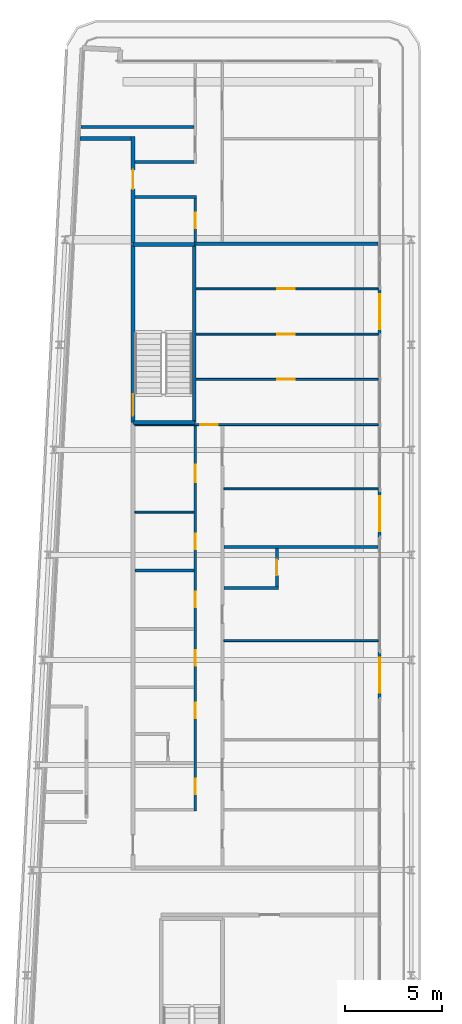
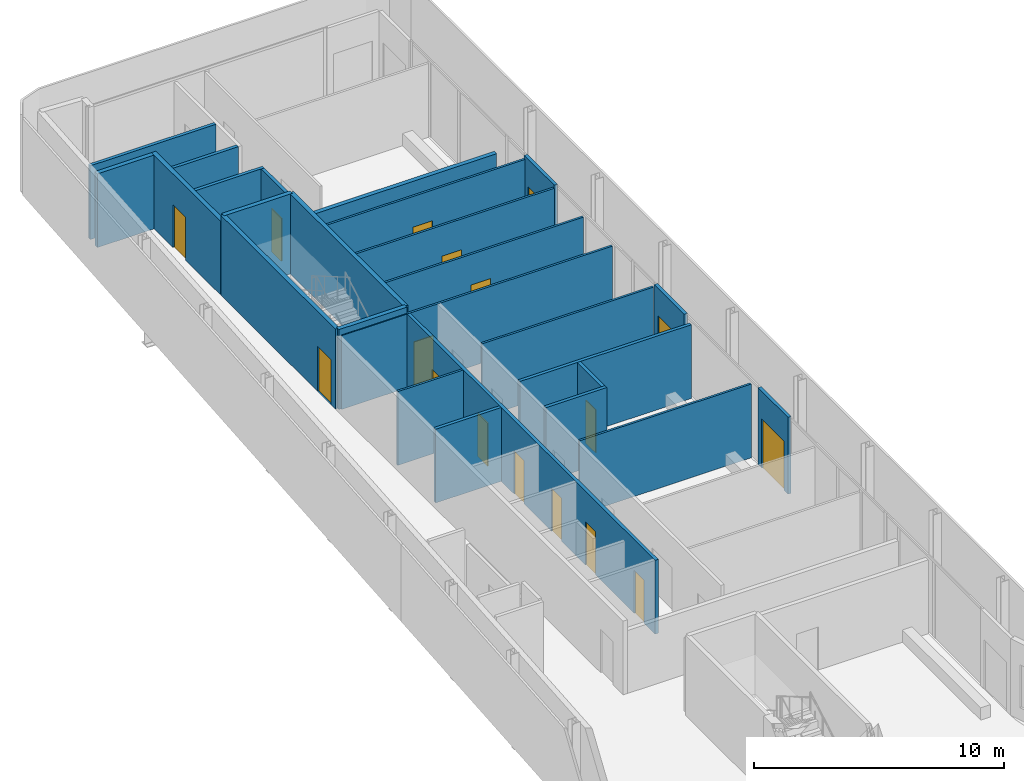
# One storey, part 11 of 18: 26 walls, 17 doors, 17 openings.
"""IFC4 building model written with IfcOpenShell, lengths in metres."""

from ifc_helpers import new_model, si_unit, direction, frame, frame_2d, origin, place, context, subcontext, project, spatial, rectangle, extrude, source, transform, mapped, material, layer, layer_set, type_object, element, fill, save


model = new_model("IFC4")

# Units and contexts
model_context = context("Model", 3, precision=1e-05, world=origin(), true_north=direction((0.0, 1.0)))
body_context = subcontext(model_context, "Body", "Model", "MODEL_VIEW")
ifc_project = project(units=[si_unit("LENGTHUNIT", "METRE"), si_unit("AREAUNIT", "SQUARE_METRE"), si_unit("VOLUMEUNIT", "CUBIC_METRE"), si_unit("PLANEANGLEUNIT", "RADIAN"), si_unit("MASSUNIT", "GRAM", prefix="KILO")], contexts=[model_context])

# Site, building, storey
site_placement = place(None, origin())
site = spatial("IfcSite", under=ifc_project, at=site_placement, CompositionType="ELEMENT")
building_placement = place(site_placement, origin())
building = spatial("IfcBuilding", under=site, at=building_placement, Name="Kheshtan School and Residences Tower", CompositionType="ELEMENT")
storey_placement = place(building_placement, frame((0.0, 0.0, 385.10009765625)))
storey = spatial("IfcBuildingStorey", under=building, at=storey_placement, Name="L91", CompositionType="ELEMENT", Elevation=385.10009765625)

# Wall
ifc_material_1 = material(Name="Gypsum board on steel studs with fire boards", Category="steel")
ifc_layer_1 = layer(ifc_material_1, 0.199951171875)
ifc_layer_set_1 = layer_set([ifc_layer_1], Name="Corridor wall 200")
wall_type_1 = type_object("IfcWallType", Name="Corridor wall 200", PredefinedType="PARTITIONING", material=ifc_layer_set_1)
wall_1_placement = place(storey_placement, frame((30.584716796875, 94.0, 0.0), z_axis=(0.0, 0.0, 1.0), x_axis=(1.0, 0.0, 0.0)))
element("IfcWall", 1, at=wall_1_placement, inside=storey, type_object=wall_type_1, Name="Partition L91-002", PredefinedType="PARTITIONING", context=body_context, shape_type="SweptSolid", body=[
    extrude(rectangle(XDim=2.615234375, YDim=0.199951171875, at=frame_2d((1.3076171875, 0.0))), origin(), (0.0, 0.0, 1.0), 3.599853515625),
])

# Wall, opening, door
wall_2_placement = place(storey_placement, frame((33.300048828125, 88.60009765625, 0.0), z_axis=(0.0, 0.0, 1.0), x_axis=(0.0, 1.0, 0.0)))
wall_2 = element("IfcWall", 2, at=wall_2_placement, inside=storey, type_object=wall_type_1, Name="Partition L91-004", PredefinedType="PARTITIONING", context=body_context, shape_type="SweptSolid", body=[
    extrude(rectangle(XDim=5.5, YDim=0.199951171875, at=frame_2d((2.75, 0.0))), origin(), (0.0, 0.0, 1.0), 3.599853515625),
])
opening_1_placement = place(wall_2_placement, frame((2.800048828125, 0.0, 0.0)))
opening_1 = element("IfcOpeningElement", 3, at=opening_1_placement, cuts=wall_2, Name="Opening D90-022", PredefinedType="OPENING", context=body_context, shape_type="SweptSolid", body=[
    extrude(rectangle(XDim=1.0, YDim=2.10009765625, at=frame_2d((0.5, 1.050048828125))), frame((0.0, 0.10986328125, 0.0), z_axis=(0.0, -1.0, 0.0), x_axis=(1.0, 0.0, 0.0)), (0.0, 0.0, 1.0), 0.219970703125),
])
ifc_material_2 = material(Name="Steel-framed fire-resisting door leaf", Category="steel")
door_type_1 = type_object("IfcDoorType", Name="Fire door FD30S 1000 x 2100", OperationType="SINGLE_SWING_LEFT", PredefinedType="DOOR", material=ifc_material_2)
shared_shape_1 = source(origin(), body_context, "Body", "SweptSolid", [
    extrude(rectangle(XDim=1.0, YDim=2.10009765625, at=frame_2d((0.5, 1.050048828125))), frame((0.0, 0.02490234375, 0.0), z_axis=(0.0, -1.0, 0.0), x_axis=(1.0, 0.0, 0.0)), (0.0, 0.0, 1.0), 0.050048828125),
])
door_1_placement = place(opening_1_placement, origin())
door_1 = element("IfcDoor", 4, at=door_1_placement, inside=storey, type_object=door_type_1, Name="Door D90-022", OperationType="SINGLE_SWING_LEFT", OverallHeight=2.10009765625, OverallWidth=1.0, PredefinedType="DOOR", context=body_context, shape_type="MappedRepresentation", body=[
    mapped(shared_shape_1, transform((0.0, 0.0, 0.0), x_axis=(1.0, 0.0, 0.0), y_axis=(0.0, 1.0, 0.0), z_axis=(0.0, 0.0, 1.0), scale=1.0)),
])
fill(opening_1, door_1)

ifc_material_3 = material(Name="Aluminium frame wall with insulated infill", Category="aluminium")
ifc_layer_2 = layer(ifc_material_3, 0.14990234375)
ifc_layer_set_2 = layer_set([ifc_layer_2], Name="Glazing frame wall 150")
wall_type_2 = type_object("IfcWallType", Name="Glazing frame wall 150", PredefinedType="SOLIDWALL", material=ifc_layer_set_2)
wall_3_placement = place(storey_placement, frame((45.97509765625, 86.305908203125, 0.0), z_axis=(0.0, 0.0, 1.0), x_axis=(0.0, -1.0, 0.0)))
wall_3 = element("IfcWall", 5, at=wall_3_placement, inside=storey, type_object=wall_type_2, Name="Balcony door wall L91 8.2", PredefinedType="SOLIDWALL", context=body_context, shape_type="SweptSolid", body=[
    extrude(rectangle(XDim=2.39990234375, YDim=0.14990234375, at=frame_2d((1.199951171875, 0.0))), origin(), (0.0, 0.0, 1.0), 3.75),
])
opening_2_placement = place(wall_3_placement, frame((0.300048828125, 0.0, 0.0)))
opening_2 = element("IfcOpeningElement", 6, at=opening_2_placement, cuts=wall_3, Name="Opening BD", PredefinedType="OPENING", context=body_context, shape_type="SweptSolid", body=[
    extrude(rectangle(XDim=1.800048828125, YDim=2.39990234375, at=frame_2d((0.89990234375, 1.199951171875))), frame((0.0, 0.0849609375, 0.0), z_axis=(0.0, -1.0, 0.0), x_axis=(1.0, 0.0, 0.0)), (0.0, 0.0, 1.0), 0.169921875),
])
ifc_material_4 = material(Name="Clear low-e glass in thermally broken aluminium frame", Category="aluminium")
door_type_2 = type_object("IfcDoorType", Name="Balcony sliding door", OperationType="SLIDING_TO_LEFT", PredefinedType="DOOR", material=ifc_material_4)
shared_shape_2 = source(origin(), body_context, "Body", "SweptSolid", [
    extrude(rectangle(XDim=1.800048828125, YDim=2.39990234375, at=frame_2d((0.89990234375, 1.199951171875))), frame((0.0, 0.02490234375, 0.0), z_axis=(0.0, -1.0, 0.0), x_axis=(1.0, 0.0, 0.0)), (0.0, 0.0, 1.0), 0.050048828125),
])
door_2_placement = place(opening_2_placement, origin())
door_2 = element("IfcDoor", 7, at=door_2_placement, inside=storey, type_object=door_type_2, Name="Balcony door L91 8.2", OperationType="SLIDING_TO_LEFT", OverallHeight=2.39990234375, OverallWidth=1.800048828125, PredefinedType="DOOR", context=body_context, shape_type="MappedRepresentation", body=[
    mapped(shared_shape_2, transform((0.0, 0.0, 0.0), x_axis=(1.0, 0.0, 0.0), y_axis=(0.0, 1.0, 0.0), z_axis=(0.0, 0.0, 1.0), scale=1.0)),
])
fill(opening_2, door_2)

wall_4_placement = place(storey_placement, frame((45.97509765625, 75.912109375, 0.0), z_axis=(0.0, 0.0, 1.0), x_axis=(0.0, -1.0, 0.0)))
wall_4 = element("IfcWall", 8, at=wall_4_placement, inside=storey, type_object=wall_type_2, Name="Balcony door wall L91 8.3", PredefinedType="SOLIDWALL", context=body_context, shape_type="SweptSolid", body=[
    extrude(rectangle(XDim=2.400146484375, YDim=0.14990234375, at=frame_2d((1.2001953125, 0.0))), origin(), (0.0, 0.0, 1.0), 3.75),
])
opening_3_placement = place(wall_4_placement, frame((0.300048828125, 0.0, 0.0)))
opening_3 = element("IfcOpeningElement", 9, at=opening_3_placement, cuts=wall_4, Name="Opening BD", PredefinedType="OPENING", context=body_context, shape_type="SweptSolid", body=[
    extrude(rectangle(XDim=1.800048828125, YDim=2.39990234375, at=frame_2d((0.89990234375, 1.199951171875))), frame((0.0, 0.0849609375, 0.0), z_axis=(0.0, -1.0, 0.0), x_axis=(1.0, 0.0, 0.0)), (0.0, 0.0, 1.0), 0.169921875),
])
door_3_placement = place(opening_3_placement, origin())
door_3 = element("IfcDoor", 10, at=door_3_placement, inside=storey, type_object=door_type_2, Name="Balcony door L91 8.3", OperationType="SLIDING_TO_LEFT", OverallHeight=2.39990234375, OverallWidth=1.800048828125, PredefinedType="DOOR", context=body_context, shape_type="MappedRepresentation", body=[
    mapped(shared_shape_2, transform((0.0, 0.0, 0.0), x_axis=(1.0, 0.0, 0.0), y_axis=(0.0, 1.0, 0.0), z_axis=(0.0, 0.0, 1.0), scale=1.0)),
])
fill(opening_3, door_3)

wall_5_placement = place(storey_placement, frame((45.97509765625, 67.617919921875, 0.0), z_axis=(0.0, 0.0, 1.0), x_axis=(0.0, -1.0, 0.0)))
wall_5 = element("IfcWall", 11, at=wall_5_placement, inside=storey, type_object=wall_type_2, Name="Balcony door wall L91 8.4", PredefinedType="SOLIDWALL", context=body_context, shape_type="SweptSolid", body=[
    extrude(rectangle(XDim=2.39990234375, YDim=0.14990234375, at=frame_2d((1.199951171875, 0.0))), origin(), (0.0, 0.0, 1.0), 3.75),
])
opening_4_placement = place(wall_5_placement, frame((0.300048828125, 0.0, 0.0)))
opening_4 = element("IfcOpeningElement", 12, at=opening_4_placement, cuts=wall_5, Name="Opening BD", PredefinedType="OPENING", context=body_context, shape_type="SweptSolid", body=[
    extrude(rectangle(XDim=1.800048828125, YDim=2.39990234375, at=frame_2d((0.89990234375, 1.199951171875))), frame((0.0, 0.0849609375, 0.0), z_axis=(0.0, -1.0, 0.0), x_axis=(1.0, 0.0, 0.0)), (0.0, 0.0, 1.0), 0.169921875),
])
door_4_placement = place(opening_4_placement, origin())
door_4 = element("IfcDoor", 13, at=door_4_placement, inside=storey, type_object=door_type_2, Name="Balcony door L91 8.4", OperationType="SLIDING_TO_LEFT", OverallHeight=2.39990234375, OverallWidth=1.800048828125, PredefinedType="DOOR", context=body_context, shape_type="MappedRepresentation", body=[
    mapped(shared_shape_2, transform((0.0, 0.0, 0.0), x_axis=(1.0, 0.0, 0.0), y_axis=(0.0, 1.0, 0.0), z_axis=(0.0, 0.0, 1.0), scale=1.0)),
])
fill(opening_4, door_4)

# Wall
ifc_material_5 = material(Name="Gypsum board on steel studs", Category="steel")
ifc_layer_3 = layer(ifc_material_5, 0.10009765625)
ifc_layer_set_3 = layer_set([ifc_layer_3], Name="Gypsum partition 100")
wall_type_3 = type_object("IfcWallType", Name="Gypsum partition 100", PredefinedType="PARTITIONING", material=ifc_layer_set_3)
wall_6_placement = place(storey_placement, frame((33.39990234375, 74.800048828125, 0.0), z_axis=(0.0, 0.0, 1.0), x_axis=(1.0, 0.0, 0.0)))
element("IfcWall", 14, at=wall_6_placement, inside=storey, type_object=wall_type_3, Name="Partition L91-012", PredefinedType="PARTITIONING", context=body_context, shape_type="SweptSolid", body=[
    extrude(rectangle(XDim=3.025146484375, YDim=0.10009765625, at=frame_2d((1.5126953125, 0.0))), origin(), (0.0, 0.0, 1.0), 3.599853515625),
])

# Wall, opening, door
wall_7_placement = place(storey_placement, frame((33.39990234375, 79.300048828125, 0.0), z_axis=(0.0, 0.0, 1.0), x_axis=(1.0, 0.0, 0.0)))
wall_7 = element("IfcWall", 15, at=wall_7_placement, inside=storey, type_object=wall_type_3, Name="Partition L91-013", PredefinedType="PARTITIONING", context=body_context, shape_type="SweptSolid", body=[
    extrude(rectangle(XDim=12.5, YDim=0.10009765625, at=frame_2d((6.25, 0.0))), origin(), (0.0, 0.0, 1.0), 3.599853515625),
])
opening_5_placement = place(wall_7_placement, frame((3.35498046875, 0.0, 0.0)))
opening_5 = element("IfcOpeningElement", 16, at=opening_5_placement, cuts=wall_7, Name="Opening D90-016", PredefinedType="OPENING", context=body_context, shape_type="SweptSolid", body=[
    extrude(rectangle(XDim=0.89990234375, YDim=2.10009765625, at=frame_2d((0.449951171875, 1.050048828125))), frame((0.0, 0.06005859375, 0.0), z_axis=(0.0, -1.0, 0.0), x_axis=(1.0, 0.0, 0.0)), (0.0, 0.0, 1.0), 0.1201171875),
])
ifc_material_6 = material(Name="Veneered timber door leaf", Category="wood")
door_type_3 = type_object("IfcDoorType", Name="Door 900 x 2100", OperationType="SINGLE_SWING_LEFT", PredefinedType="DOOR", material=ifc_material_6)
shared_shape_3 = source(origin(), body_context, "Body", "SweptSolid", [
    extrude(rectangle(XDim=0.89990234375, YDim=2.10009765625, at=frame_2d((0.449951171875, 1.050048828125))), frame((0.0, 0.02490234375, 0.0), z_axis=(0.0, -1.0, 0.0), x_axis=(1.0, 0.0, 0.0)), (0.0, 0.0, 1.0), 0.050048828125),
])
door_5_placement = place(opening_5_placement, origin())
door_5 = element("IfcDoor", 17, at=door_5_placement, inside=storey, type_object=door_type_3, Name="Door D90-016", OperationType="SINGLE_SWING_LEFT", OverallHeight=2.10009765625, OverallWidth=0.89990234375, PredefinedType="DOOR", context=body_context, shape_type="MappedRepresentation", body=[
    mapped(shared_shape_3, transform((0.0, 0.0, 0.0), x_axis=(1.0, 0.0, 0.0), y_axis=(0.0, 1.0, 0.0), z_axis=(0.0, 0.0, 1.0), scale=1.0)),
])
fill(opening_5, door_5)

wall_8_placement = place(storey_placement, frame((36.549072265625, 81.625, 0.0), z_axis=(0.0, 0.0, 1.0), x_axis=(1.0, 0.0, 0.0)))
wall_8 = element("IfcWall", 18, at=wall_8_placement, inside=storey, type_object=wall_type_3, Name="Partition L91-024", PredefinedType="PARTITIONING", context=body_context, shape_type="SweptSolid", body=[
    extrude(rectangle(XDim=9.350830078125, YDim=0.10009765625, at=frame_2d((4.67529296875, 0.0))), origin(), (0.0, 0.0, 1.0), 3.599853515625),
])
opening_6_placement = place(wall_8_placement, frame((4.176025390625, 0.0, 0.0)))
opening_6 = element("IfcOpeningElement", 19, at=opening_6_placement, cuts=wall_8, Name="Opening D90-017", PredefinedType="OPENING", context=body_context, shape_type="SweptSolid", body=[
    extrude(rectangle(XDim=0.89990234375, YDim=2.10009765625, at=frame_2d((0.449951171875, 1.050048828125))), frame((0.0, 0.06005859375, 0.0), z_axis=(0.0, -1.0, 0.0), x_axis=(1.0, 0.0, 0.0)), (0.0, 0.0, 1.0), 0.1201171875),
])
door_6_placement = place(opening_6_placement, origin())
door_6 = element("IfcDoor", 20, at=door_6_placement, inside=storey, type_object=door_type_3, Name="Door D90-017", OperationType="SINGLE_SWING_RIGHT", OverallHeight=2.10009765625, OverallWidth=0.89990234375, PredefinedType="DOOR", context=body_context, shape_type="MappedRepresentation", body=[
    mapped(shared_shape_3, transform((0.0, 0.0, 0.0), x_axis=(1.0, 0.0, 0.0), y_axis=(0.0, 1.0, 0.0), z_axis=(0.0, 0.0, 1.0), scale=1.0)),
])
fill(opening_6, door_6)

wall_9_placement = place(storey_placement, frame((36.549072265625, 83.949951171875, 0.0), z_axis=(0.0, 0.0, 1.0), x_axis=(1.0, 0.0, 0.0)))
wall_9 = element("IfcWall", 21, at=wall_9_placement, inside=storey, type_object=wall_type_3, Name="Partition L91-025", PredefinedType="PARTITIONING", context=body_context, shape_type="SweptSolid", body=[
    extrude(rectangle(XDim=9.350830078125, YDim=0.10009765625, at=frame_2d((4.67529296875, 0.0))), origin(), (0.0, 0.0, 1.0), 3.599853515625),
])
opening_7_placement = place(wall_9_placement, frame((4.176025390625, 0.0, 0.0)))
opening_7 = element("IfcOpeningElement", 22, at=opening_7_placement, cuts=wall_9, Name="Opening D90-018", PredefinedType="OPENING", context=body_context, shape_type="SweptSolid", body=[
    extrude(rectangle(XDim=0.89990234375, YDim=2.10009765625, at=frame_2d((0.449951171875, 1.050048828125))), frame((0.0, 0.06005859375, 0.0), z_axis=(0.0, -1.0, 0.0), x_axis=(1.0, 0.0, 0.0)), (0.0, 0.0, 1.0), 0.1201171875),
])
door_7_placement = place(opening_7_placement, origin())
door_7 = element("IfcDoor", 23, at=door_7_placement, inside=storey, type_object=door_type_3, Name="Door D90-018", OperationType="SINGLE_SWING_RIGHT", OverallHeight=2.10009765625, OverallWidth=0.89990234375, PredefinedType="DOOR", context=body_context, shape_type="MappedRepresentation", body=[
    mapped(shared_shape_3, transform((0.0, 0.0, 0.0), x_axis=(1.0, 0.0, 0.0), y_axis=(0.0, 1.0, 0.0), z_axis=(0.0, 0.0, 1.0), scale=1.0)),
])
fill(opening_7, door_7)

wall_10_placement = place(storey_placement, frame((36.549072265625, 86.27490234375, 0.0), z_axis=(0.0, 0.0, 1.0), x_axis=(1.0, 0.0, 0.0)))
wall_10 = element("IfcWall", 24, at=wall_10_placement, inside=storey, type_object=wall_type_3, Name="Partition L91-026", PredefinedType="PARTITIONING", context=body_context, shape_type="SweptSolid", body=[
    extrude(rectangle(XDim=9.350830078125, YDim=0.10009765625, at=frame_2d((4.67529296875, 0.0))), origin(), (0.0, 0.0, 1.0), 3.599853515625),
])
opening_8_placement = place(wall_10_placement, frame((4.176025390625, 0.0, 0.0)))
opening_8 = element("IfcOpeningElement", 25, at=opening_8_placement, cuts=wall_10, Name="Opening D90-019", PredefinedType="OPENING", context=body_context, shape_type="SweptSolid", body=[
    extrude(rectangle(XDim=0.89990234375, YDim=2.10009765625, at=frame_2d((0.449951171875, 1.050048828125))), frame((0.0, 0.06005859375, 0.0), z_axis=(0.0, -1.0, 0.0), x_axis=(1.0, 0.0, 0.0)), (0.0, 0.0, 1.0), 0.1201171875),
])
door_8_placement = place(opening_8_placement, origin())
door_8 = element("IfcDoor", 26, at=door_8_placement, inside=storey, type_object=door_type_3, Name="Door D90-019", OperationType="SINGLE_SWING_RIGHT", OverallHeight=2.10009765625, OverallWidth=0.89990234375, PredefinedType="DOOR", context=body_context, shape_type="MappedRepresentation", body=[
    mapped(shared_shape_3, transform((0.0, 0.0, 0.0), x_axis=(1.0, 0.0, 0.0), y_axis=(0.0, 1.0, 0.0), z_axis=(0.0, 0.0, 1.0), scale=1.0)),
])
fill(opening_8, door_8)

# Walls
for number, where, z_axis, x_axis, name in (
    (27, (37.97509765625, 68.199951171875, 0.0), (0.0, 0.0, 1.0), (1.0, 0.0, 0.0), "Partition L91-032"),
    (28, (37.97509765625, 76.0, 0.0), (0.0, 0.0, 1.0), (1.0, 0.0, 0.0), "Partition L91-035"),
):
    element("IfcWall", number, at=place(storey_placement, frame(where, z_axis=z_axis, x_axis=x_axis)), inside=storey, type_object=wall_type_3, Name=name, PredefinedType="PARTITIONING", context=body_context, shape_type="SweptSolid", body=[
        extrude(rectangle(XDim=7.9248046875, YDim=0.10009765625, at=frame_2d((3.96240234375, 0.0))), origin(), (0.0, 0.0, 1.0), 3.599853515625),
    ])
ifc_material_7 = material(Name="Concrete C40/50", Category="concrete")
ifc_layer_4 = layer(ifc_material_7, 0.199951171875)
ifc_layer_set_4 = layer_set([ifc_layer_4], Name="Stair enclosure wall 200 Concrete C40/50")
wall_type_4 = type_object("IfcWallType", Name="Stair enclosure wall 200 Concrete C40/50", PredefinedType="SHEAR", material=ifc_layer_set_4)
for number, where, z_axis, x_axis, name in (
    (29, (33.300048828125, 79.39990234375, 0.0), (0.0, 0.0, 1.0), (1.0, 0.0, 0.0), "Stair enclosure wall ST3"),
    (30, (33.300048828125, 88.56005859375, 0.0), (0.0, 0.0, 1.0), (1.0, 0.0, 0.0), "Stair enclosure wall ST3"),
):
    element("IfcWall", number, at=place(storey_placement, frame(where, z_axis=z_axis, x_axis=x_axis)), inside=storey, type_object=wall_type_4, Name=name, PredefinedType="SHEAR", context=body_context, shape_type="SweptSolid", body=[
        extrude(rectangle(XDim=3.14990234375, YDim=0.199951171875, at=frame_2d((1.574951171875, 0.0))), origin(), (0.0, 0.0, 1.0), 3.89990234375),
    ])

# Wall, opening, door
wall_11_placement = place(storey_placement, frame((33.300048828125, 79.39990234375, 0.0), z_axis=(0.0, 0.0, 1.0), x_axis=(0.0, 1.0, 0.0)))
wall_11 = element("IfcWall", 31, at=wall_11_placement, inside=storey, type_object=wall_type_4, Name="Stair enclosure wall ST3", PredefinedType="SHEAR", context=body_context, shape_type="SweptSolid", body=[
    extrude(rectangle(XDim=9.16015625, YDim=0.199951171875, at=frame_2d((4.580078125, 0.0))), origin(), (0.0, 0.0, 1.0), 3.89990234375),
])
opening_9_placement = place(wall_11_placement, frame((0.35009765625, 0.0, 0.0)))
opening_9 = element("IfcOpeningElement", 32, at=opening_9_placement, cuts=wall_11, Name="Opening ST3D", PredefinedType="OPENING", context=body_context, shape_type="SweptSolid", body=[
    extrude(rectangle(XDim=1.10009765625, YDim=2.199951171875, at=frame_2d((0.550048828125, 1.10009765625))), frame((0.0, 0.10986328125, 0.0), z_axis=(0.0, -1.0, 0.0), x_axis=(1.0, 0.0, 0.0)), (0.0, 0.0, 1.0), 0.219970703125),
])
ifc_material_8 = material(Name="Steel door leaf, galvanised", Category="steel")
door_type_4 = type_object("IfcDoorType", Name="Stair door 1100 steel 90 min", OperationType="SINGLE_SWING_LEFT", PredefinedType="DOOR", material=ifc_material_8)
shared_shape_4 = source(origin(), body_context, "Body", "SweptSolid", [
    extrude(rectangle(XDim=1.10009765625, YDim=2.199951171875, at=frame_2d((0.550048828125, 1.10009765625))), frame((0.0, 0.02490234375, 0.0), z_axis=(0.0, -1.0, 0.0), x_axis=(1.0, 0.0, 0.0)), (0.0, 0.0, 1.0), 0.050048828125),
])
door_9_placement = place(opening_9_placement, origin())
door_9 = element("IfcDoor", 33, at=door_9_placement, inside=storey, type_object=door_type_4, Name="Stair ST3 door", OperationType="SINGLE_SWING_RIGHT", OverallHeight=2.199951171875, OverallWidth=1.10009765625, PredefinedType="DOOR", context=body_context, shape_type="MappedRepresentation", body=[
    mapped(shared_shape_4, transform((0.0, 0.0, 0.0), x_axis=(1.0, 0.0, 0.0), y_axis=(0.0, 1.0, 0.0), z_axis=(0.0, 0.0, 1.0), scale=1.0)),
])
fill(opening_9, door_9)

# Walls
wall_12_placement = place(storey_placement, frame((36.449951171875, 79.39990234375, 0.0), z_axis=(0.0, 0.0, 1.0), x_axis=(0.0, 1.0, 0.0)))
element("IfcWall", 34, at=wall_12_placement, inside=storey, type_object=wall_type_4, Name="Stair enclosure wall ST3", PredefinedType="SHEAR", context=body_context, shape_type="SweptSolid", body=[
    extrude(rectangle(XDim=9.16015625, YDim=0.199951171875, at=frame_2d((4.580078125, 0.0))), origin(), (0.0, 0.0, 1.0), 3.89990234375),
])
ifc_material_9 = material(Name="Twin gypsum board on steel studs with mineral wool", Category="steel")
ifc_layer_5 = layer(ifc_material_9, 0.199951171875)
ifc_layer_set_5 = layer_set([ifc_layer_5], Name="Unit demising wall 200")
wall_type_5 = type_object("IfcWallType", Name="Unit demising wall 200", PredefinedType="PARTITIONING", material=ifc_layer_set_5)
wall_13_placement = place(storey_placement, frame((36.425048828125, 88.60009765625, 0.0), z_axis=(0.0, 0.0, 1.0), x_axis=(1.0, 0.0, 0.0)))
element("IfcWall", 35, at=wall_13_placement, inside=storey, type_object=wall_type_5, Name="Partition L91-020", PredefinedType="PARTITIONING", context=body_context, shape_type="SweptSolid", body=[
    extrude(rectangle(XDim=9.474853515625, YDim=0.199951171875, at=frame_2d((4.7373046875, 0.0))), origin(), (0.0, 0.0, 1.0), 2.5),
])
ifc_material_10 = material(Name="Moisture-resistant gypsum board on steel studs", Category="steel")
ifc_layer_6 = layer(ifc_material_10, 0.14990234375)
ifc_layer_set_6 = layer_set([ifc_layer_6], Name="Wet-room partition 150")
wall_type_6 = type_object("IfcWallType", Name="Wet-room partition 150", PredefinedType="PARTITIONING", material=ifc_layer_set_6)
wall_14_placement = place(storey_placement, frame((30.616943359375, 94.60009765625, 0.0), z_axis=(0.0, 0.0, 1.0), x_axis=(1.0, 0.0, 0.0)))
element("IfcWall", 36, at=wall_14_placement, inside=storey, type_object=wall_type_6, Name="Partition L91-001", PredefinedType="PARTITIONING", context=body_context, shape_type="SweptSolid", body=[
    extrude(rectangle(XDim=5.80810546875, YDim=0.14990234375, at=frame_2d((2.904052734375, 0.0))), origin(), (0.0, 0.0, 1.0), 3.599853515625),
])
wall_15_placement = place(storey_placement, frame((33.39990234375, 71.800048828125, 0.0), z_axis=(0.0, 0.0, 1.0), x_axis=(1.0, 0.0, 0.0)))
element("IfcWall", 37, at=wall_15_placement, inside=storey, type_object=wall_type_6, Name="Partition L91-011", PredefinedType="PARTITIONING", context=body_context, shape_type="SweptSolid", body=[
    extrude(rectangle(XDim=3.025146484375, YDim=0.14990234375, at=frame_2d((1.5126953125, 0.0))), origin(), (0.0, 0.0, 1.0), 3.599853515625),
])
wall_16_placement = place(storey_placement, frame((33.39990234375, 91.0, 0.0), z_axis=(0.0, 0.0, 1.0), x_axis=(1.0, 0.0, 0.0)))
element("IfcWall", 38, at=wall_16_placement, inside=storey, type_object=wall_type_6, Name="Partition L91-014", PredefinedType="PARTITIONING", context=body_context, shape_type="SweptSolid", body=[
    extrude(rectangle(XDim=3.175048828125, YDim=0.14990234375, at=frame_2d((1.58740234375, 0.0))), origin(), (0.0, 0.0, 1.0), 3.599853515625),
])
wall_17_placement = place(storey_placement, frame((33.39990234375, 92.800048828125, 0.0), z_axis=(0.0, 0.0, 1.0), x_axis=(1.0, 0.0, 0.0)))
element("IfcWall", 39, at=wall_17_placement, inside=storey, type_object=wall_type_6, Name="Partition L91-015", PredefinedType="PARTITIONING", context=body_context, shape_type="SweptSolid", body=[
    extrude(rectangle(XDim=3.025146484375, YDim=0.14990234375, at=frame_2d((1.5126953125, 0.0))), origin(), (0.0, 0.0, 1.0), 3.599853515625),
])

# Wall, openings, doors
wall_18_placement = place(storey_placement, frame((36.5, 59.425048828125, 0.0), z_axis=(0.0, 0.0, 1.0), x_axis=(0.0, 1.0, 0.0)))
wall_18 = element("IfcWall", 40, at=wall_18_placement, inside=storey, type_object=wall_type_6, Name="Partition L91-021", PredefinedType="PARTITIONING", context=body_context, shape_type="SweptSolid", body=[
    extrude(rectangle(XDim=19.824951171875, YDim=0.14990234375, at=frame_2d((9.91259765625, 0.0))), origin(), (0.0, 0.0, 1.0), 3.599853515625),
])
opening_10_placement = place(wall_18_placement, frame((7.47509765625, 0.0, 0.0)))
opening_10 = element("IfcOpeningElement", 41, at=opening_10_placement, cuts=wall_18, Name="Opening D90-001", PredefinedType="OPENING", context=body_context, shape_type="SweptSolid", body=[
    extrude(rectangle(XDim=0.800048828125, YDim=2.10009765625, at=frame_2d((0.39990234375, 1.050048828125))), frame((0.0, 0.0849609375, 0.0), z_axis=(0.0, -1.0, 0.0), x_axis=(1.0, 0.0, 0.0)), (0.0, 0.0, 1.0), 0.169921875),
])
opening_11_placement = place(wall_18_placement, frame((10.47509765625, 0.0, 0.0)))
opening_11 = element("IfcOpeningElement", 42, at=opening_11_placement, cuts=wall_18, Name="Opening D90-002", PredefinedType="OPENING", context=body_context, shape_type="SweptSolid", body=[
    extrude(rectangle(XDim=0.800048828125, YDim=2.10009765625, at=frame_2d((0.39990234375, 1.050048828125))), frame((0.0, 0.0849609375, 0.0), z_axis=(0.0, -1.0, 0.0), x_axis=(1.0, 0.0, 0.0)), (0.0, 0.0, 1.0), 0.169921875),
])
opening_12_placement = place(wall_18_placement, frame((13.47509765625, 0.0, 0.0)))
opening_12 = element("IfcOpeningElement", 43, at=opening_12_placement, cuts=wall_18, Name="Opening D90-006", PredefinedType="OPENING", context=body_context, shape_type="SweptSolid", body=[
    extrude(rectangle(XDim=0.800048828125, YDim=2.10009765625, at=frame_2d((0.39990234375, 1.050048828125))), frame((0.0, 0.0849609375, 0.0), z_axis=(0.0, -1.0, 0.0), x_axis=(1.0, 0.0, 0.0)), (0.0, 0.0, 1.0), 0.169921875),
])
opening_13_placement = place(wall_18_placement, frame((16.925048828125, 0.0, 0.0)))
opening_13 = element("IfcOpeningElement", 44, at=opening_13_placement, cuts=wall_18, Name="Opening D90-009", PredefinedType="OPENING", context=body_context, shape_type="SweptSolid", body=[
    extrude(rectangle(XDim=0.89990234375, YDim=2.10009765625, at=frame_2d((0.449951171875, 1.050048828125))), frame((0.0, 0.0849609375, 0.0), z_axis=(0.0, -1.0, 0.0), x_axis=(1.0, 0.0, 0.0)), (0.0, 0.0, 1.0), 0.169921875),
])
opening_14_placement = place(wall_18_placement, frame((4.77490234375, 0.0, 0.0)))
opening_14 = element("IfcOpeningElement", 45, at=opening_14_placement, cuts=wall_18, Name="Opening D90-011", PredefinedType="OPENING", context=body_context, shape_type="SweptSolid", body=[
    extrude(rectangle(XDim=0.800048828125, YDim=2.10009765625, at=frame_2d((0.39990234375, 1.050048828125))), frame((0.0, 0.0849609375, 0.0), z_axis=(0.0, -1.0, 0.0), x_axis=(1.0, 0.0, 0.0)), (0.0, 0.0, 1.0), 0.169921875),
])
opening_15_placement = place(wall_18_placement, frame((0.875, 0.0, 0.0)))
opening_15 = element("IfcOpeningElement", 46, at=opening_15_placement, cuts=wall_18, Name="Opening D90-015", PredefinedType="OPENING", context=body_context, shape_type="SweptSolid", body=[
    extrude(rectangle(XDim=0.800048828125, YDim=2.10009765625, at=frame_2d((0.39990234375, 1.050048828125))), frame((0.0, 0.0849609375, 0.0), z_axis=(0.0, -1.0, 0.0), x_axis=(1.0, 0.0, 0.0)), (0.0, 0.0, 1.0), 0.169921875),
])
door_type_5 = type_object("IfcDoorType", Name="Door 800 x 2100", OperationType="SINGLE_SWING_LEFT", PredefinedType="DOOR", material=ifc_material_6)
shared_shape_5 = source(origin(), body_context, "Body", "SweptSolid", [
    extrude(rectangle(XDim=0.800048828125, YDim=2.10009765625, at=frame_2d((0.39990234375, 1.050048828125))), frame((0.0, 0.02490234375, 0.0), z_axis=(0.0, -1.0, 0.0), x_axis=(1.0, 0.0, 0.0)), (0.0, 0.0, 1.0), 0.050048828125),
])
door_10_placement = place(opening_10_placement, origin())
door_10 = element("IfcDoor", 47, at=door_10_placement, inside=storey, type_object=door_type_5, Name="Door D90-001", OperationType="SINGLE_SWING_LEFT", OverallHeight=2.10009765625, OverallWidth=0.800048828125, PredefinedType="DOOR", context=body_context, shape_type="MappedRepresentation", body=[
    mapped(shared_shape_5, transform((0.0, 0.0, 0.0), x_axis=(1.0, 0.0, 0.0), y_axis=(0.0, 1.0, 0.0), z_axis=(0.0, 0.0, 1.0), scale=1.0)),
])
fill(opening_10, door_10)
door_11_placement = place(opening_11_placement, origin())
door_11 = element("IfcDoor", 48, at=door_11_placement, inside=storey, type_object=door_type_5, Name="Door D90-002", OperationType="SINGLE_SWING_LEFT", OverallHeight=2.10009765625, OverallWidth=0.800048828125, PredefinedType="DOOR", context=body_context, shape_type="MappedRepresentation", body=[
    mapped(shared_shape_5, transform((0.0, 0.0, 0.0), x_axis=(1.0, 0.0, 0.0), y_axis=(0.0, 1.0, 0.0), z_axis=(0.0, 0.0, 1.0), scale=1.0)),
])
fill(opening_11, door_11)
door_12_placement = place(opening_12_placement, origin())
door_12 = element("IfcDoor", 49, at=door_12_placement, inside=storey, type_object=door_type_5, Name="Door D90-006", OperationType="SINGLE_SWING_LEFT", OverallHeight=2.10009765625, OverallWidth=0.800048828125, PredefinedType="DOOR", context=body_context, shape_type="MappedRepresentation", body=[
    mapped(shared_shape_5, transform((0.0, 0.0, 0.0), x_axis=(1.0, 0.0, 0.0), y_axis=(0.0, 1.0, 0.0), z_axis=(0.0, 0.0, 1.0), scale=1.0)),
])
fill(opening_12, door_12)
door_13_placement = place(opening_14_placement, origin())
door_13 = element("IfcDoor", 50, at=door_13_placement, inside=storey, type_object=door_type_5, Name="Door D90-011", OperationType="SINGLE_SWING_RIGHT", OverallHeight=2.10009765625, OverallWidth=0.800048828125, PredefinedType="DOOR", context=body_context, shape_type="MappedRepresentation", body=[
    mapped(shared_shape_5, transform((0.0, 0.0, 0.0), x_axis=(1.0, 0.0, 0.0), y_axis=(0.0, 1.0, 0.0), z_axis=(0.0, 0.0, 1.0), scale=1.0)),
])
fill(opening_14, door_13)
door_14_placement = place(opening_15_placement, origin())
door_14 = element("IfcDoor", 51, at=door_14_placement, inside=storey, type_object=door_type_5, Name="Door D90-015", OperationType="SINGLE_SWING_LEFT", OverallHeight=2.10009765625, OverallWidth=0.800048828125, PredefinedType="DOOR", context=body_context, shape_type="MappedRepresentation", body=[
    mapped(shared_shape_5, transform((0.0, 0.0, 0.0), x_axis=(1.0, 0.0, 0.0), y_axis=(0.0, 1.0, 0.0), z_axis=(0.0, 0.0, 1.0), scale=1.0)),
])
fill(opening_15, door_14)
door_15_placement = place(opening_13_placement, origin())
door_15 = element("IfcDoor", 52, at=door_15_placement, inside=storey, type_object=door_type_3, Name="Door D90-009", OperationType="SINGLE_SWING_LEFT", OverallHeight=2.10009765625, OverallWidth=0.89990234375, PredefinedType="DOOR", context=body_context, shape_type="MappedRepresentation", body=[
    mapped(shared_shape_3, transform((0.0, 0.0, 0.0), x_axis=(1.0, 0.0, 0.0), y_axis=(0.0, 1.0, 0.0), z_axis=(0.0, 0.0, 1.0), scale=1.0)),
])
fill(opening_13, door_15)

# Wall, opening, door
wall_19_placement = place(storey_placement, frame((36.5, 88.699951171875, 0.0), z_axis=(0.0, 0.0, 1.0), x_axis=(0.0, 1.0, 0.0)))
wall_19 = element("IfcWall", 53, at=wall_19_placement, inside=storey, type_object=wall_type_6, Name="Partition L91-022", PredefinedType="PARTITIONING", context=body_context, shape_type="SweptSolid", body=[
    extrude(rectangle(XDim=2.22509765625, YDim=0.14990234375, at=frame_2d((1.112548828125, 0.0))), origin(), (0.0, 0.0, 1.0), 3.599853515625),
])
opening_16_placement = place(wall_19_placement, frame((0.699951171875, 0.0, 0.0)))
opening_16 = element("IfcOpeningElement", 54, at=opening_16_placement, cuts=wall_19, Name="Opening D90-020", PredefinedType="OPENING", context=body_context, shape_type="SweptSolid", body=[
    extrude(rectangle(XDim=0.800048828125, YDim=2.10009765625, at=frame_2d((0.39990234375, 1.050048828125))), frame((0.0, 0.0849609375, 0.0), z_axis=(0.0, -1.0, 0.0), x_axis=(1.0, 0.0, 0.0)), (0.0, 0.0, 1.0), 0.169921875),
])
door_16_placement = place(opening_16_placement, origin())
door_16 = element("IfcDoor", 55, at=door_16_placement, inside=storey, type_object=door_type_5, Name="Door D90-020", OperationType="SINGLE_SWING_LEFT", OverallHeight=2.10009765625, OverallWidth=0.800048828125, PredefinedType="DOOR", context=body_context, shape_type="MappedRepresentation", body=[
    mapped(shared_shape_5, transform((0.0, 0.0, 0.0), x_axis=(1.0, 0.0, 0.0), y_axis=(0.0, 1.0, 0.0), z_axis=(0.0, 0.0, 1.0), scale=1.0)),
])
fill(opening_16, door_16)

# Walls
wall_20_placement = place(storey_placement, frame((37.97509765625, 70.89990234375, 0.0), z_axis=(0.0, 0.0, 1.0), x_axis=(1.0, 0.0, 0.0)))
element("IfcWall", 56, at=wall_20_placement, inside=storey, type_object=wall_type_6, Name="Partition L91-033", PredefinedType="PARTITIONING", context=body_context, shape_type="SweptSolid", body=[
    extrude(rectangle(XDim=2.7998046875, YDim=0.14990234375, at=frame_2d((1.39990234375, 0.0))), origin(), (0.0, 0.0, 1.0), 3.599853515625),
])
wall_21_placement = place(storey_placement, frame((37.97509765625, 73.0, 0.0), z_axis=(0.0, 0.0, 1.0), x_axis=(1.0, 0.0, 0.0)))
element("IfcWall", 57, at=wall_21_placement, inside=storey, type_object=wall_type_6, Name="Partition L91-034", PredefinedType="PARTITIONING", context=body_context, shape_type="SweptSolid", body=[
    extrude(rectangle(XDim=7.9248046875, YDim=0.14990234375, at=frame_2d((3.96240234375, 0.0))), origin(), (0.0, 0.0, 1.0), 3.599853515625),
])

# Wall, opening, door
wall_22_placement = place(storey_placement, frame((40.699951171875, 70.97509765625, 0.0), z_axis=(0.0, 0.0, 1.0), x_axis=(0.0, 1.0, 0.0)))
wall_22 = element("IfcWall", 58, at=wall_22_placement, inside=storey, type_object=wall_type_6, Name="Partition L91-036", PredefinedType="PARTITIONING", context=body_context, shape_type="SweptSolid", body=[
    extrude(rectangle(XDim=1.949951171875, YDim=0.14990234375, at=frame_2d((0.97509765625, 0.0))), origin(), (0.0, 0.0, 1.0), 3.599853515625),
])
opening_17_placement = place(wall_22_placement, frame((0.574951171875, 0.0, 0.0)))
opening_17 = element("IfcOpeningElement", 59, at=opening_17_placement, cuts=wall_22, Name="Opening D90-007", PredefinedType="OPENING", context=body_context, shape_type="SweptSolid", body=[
    extrude(rectangle(XDim=0.800048828125, YDim=2.10009765625, at=frame_2d((0.39990234375, 1.050048828125))), frame((0.0, 0.0849609375, 0.0), z_axis=(0.0, -1.0, 0.0), x_axis=(1.0, 0.0, 0.0)), (0.0, 0.0, 1.0), 0.169921875),
])
door_17_placement = place(opening_17_placement, origin())
door_17 = element("IfcDoor", 60, at=door_17_placement, inside=storey, type_object=door_type_5, Name="Door D90-007", OperationType="SINGLE_SWING_RIGHT", OverallHeight=2.10009765625, OverallWidth=0.800048828125, PredefinedType="DOOR", context=body_context, shape_type="MappedRepresentation", body=[
    mapped(shared_shape_5, transform((0.0, 0.0, 0.0), x_axis=(1.0, 0.0, 0.0), y_axis=(0.0, 1.0, 0.0), z_axis=(0.0, 0.0, 1.0), scale=1.0)),
])
fill(opening_17, door_17)

save(model, "model.ifc")
